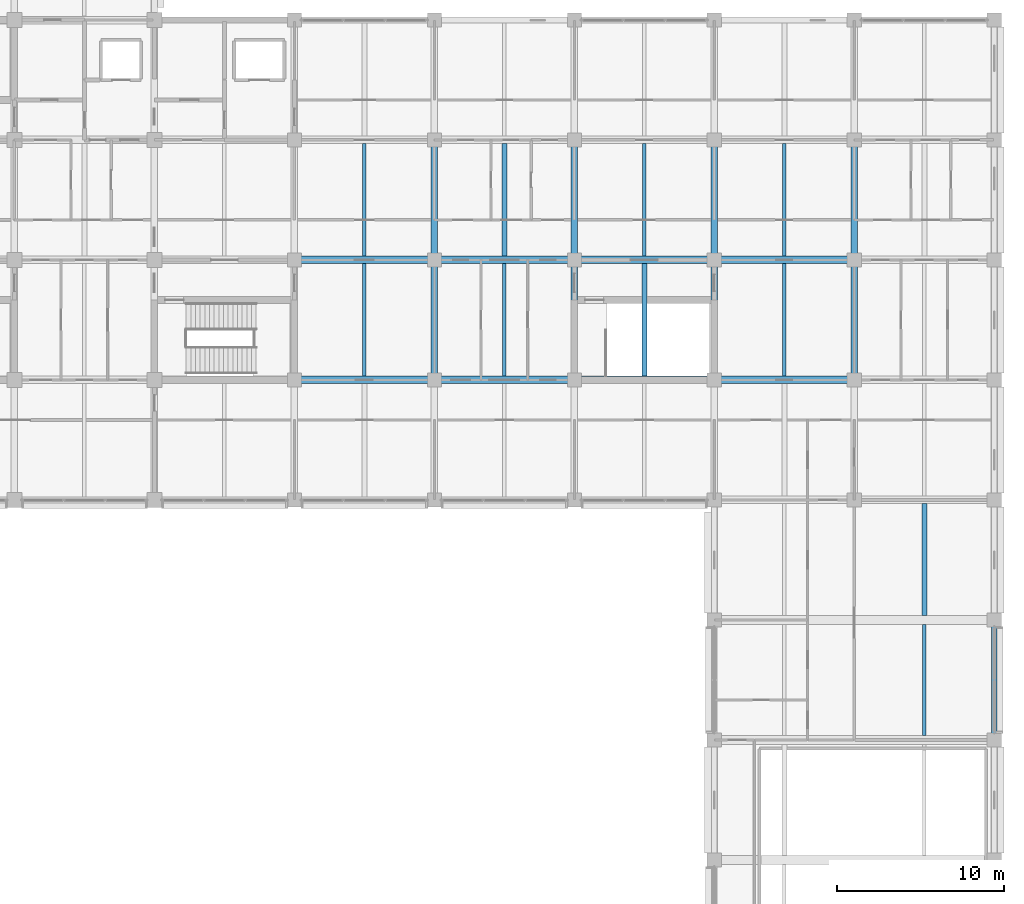
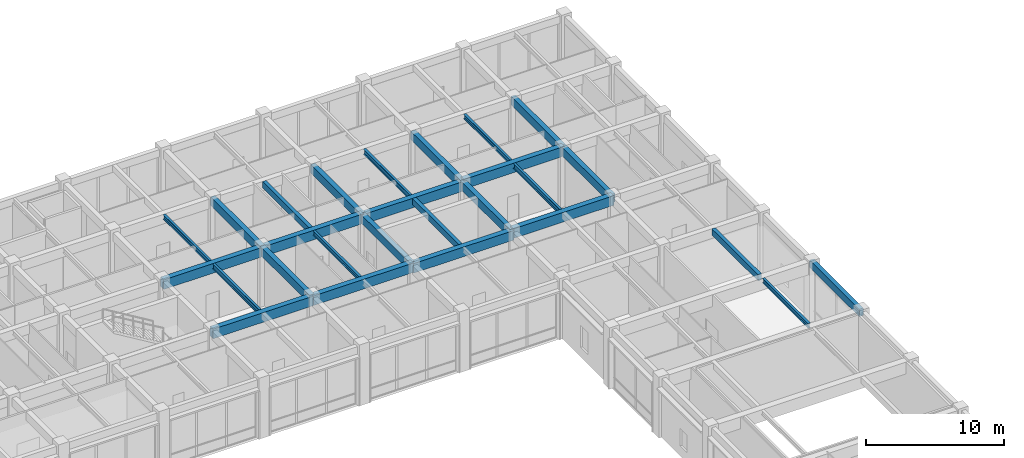
# One storey, part 22 of 58: 27 beams.
"""IFC4 building model written with IfcOpenShell, lengths in metres."""

from ifc_helpers import new_model, si_unit, direction, frame, origin, origin_2d, place, context, subcontext, project, spatial, rectangle, i_section, extrude, material, material_profile, profile_set, type_object, element, save


model = new_model("IFC4")

# Units and contexts
model_context = context("Model", 3, precision=1e-05, world=origin(), true_north=direction((0.0, 1.0)))
body_context = subcontext(model_context, "Body", "Model", "MODEL_VIEW")
ifc_project = project(units=[si_unit("LENGTHUNIT", "METRE"), si_unit("AREAUNIT", "SQUARE_METRE"), si_unit("VOLUMEUNIT", "CUBIC_METRE"), si_unit("PLANEANGLEUNIT", "RADIAN"), si_unit("MASSUNIT", "GRAM", prefix="KILO")], contexts=[model_context])

# Site, building, storey
site_placement = place(None, origin())
site = spatial("IfcSite", under=ifc_project, at=site_placement, CompositionType="ELEMENT")
building_placement = place(site_placement, origin())
building = spatial("IfcBuilding", under=site, at=building_placement, Name="Chengyuan Square Courthouse", CompositionType="ELEMENT")
storey_placement = place(building_placement, frame((0.0, 0.0, 16.199951171875)))
storey = spatial("IfcBuildingStorey", under=building, at=storey_placement, Name="L04", CompositionType="ELEMENT", Elevation=16.199951171875)

# Beams
ifc_material_1 = material(Name="Concrete C40", Category="concrete")
ifc_material_profile_1 = material_profile(ifc_material_1, rectangle(XDim=0.449951171875, YDim=0.85009765625, at=origin_2d()), Name="RC-BM-450x850")
ifc_profile_set_1 = profile_set([ifc_material_profile_1], Name="Concrete C40")
beam_type_1 = type_object("IfcBeamType", Name="BM-01", PredefinedType="USERDEFINED", material=ifc_profile_set_1)
beam_1_placement = place(storey_placement, frame((126.0, 86.39990234375, 4.695068359375), z_axis=(1.0, 0.0, 0.0), x_axis=(0.0, 1.0, 0.0)))
element("IfcBeam", 1, at=beam_1_placement, inside=storey, type_object=beam_type_1, Name="Girder BM-L04-2896", ObjectType="GIRDER", PredefinedType="USERDEFINED", context=body_context, shape_type="SweptSolid", body=[
    extrude(rectangle(XDim=0.449951171875, YDim=0.85009765625, at=origin_2d()), origin(), (0.0, 0.0, 1.0), 8.39990234375),
])
beam_2_placement = place(storey_placement, frame((134.39990234375, 86.39990234375, 4.695068359375), z_axis=(1.0, 0.0, 0.0), x_axis=(0.0, 1.0, 0.0)))
element("IfcBeam", 2, at=beam_2_placement, inside=storey, type_object=beam_type_1, Name="Girder BM-L04-2897", ObjectType="GIRDER", PredefinedType="USERDEFINED", context=body_context, shape_type="SweptSolid", body=[
    extrude(rectangle(XDim=0.449951171875, YDim=0.85009765625, at=origin_2d()), origin(), (0.0, 0.0, 1.0), 8.400146484375),
])
beam_3_placement = place(storey_placement, frame((142.800048828125, 86.39990234375, 4.625), z_axis=(1.0, 0.0, 0.0), x_axis=(0.0, 1.0, 0.0)))
element("IfcBeam", 3, at=beam_3_placement, inside=storey, type_object=beam_type_1, Name="Girder BM-L04-2898", ObjectType="GIRDER", PredefinedType="USERDEFINED", context=body_context, shape_type="SweptSolid", body=[
    extrude(rectangle(XDim=0.449951171875, YDim=0.85009765625, at=origin_2d()), origin(), (0.0, 0.0, 1.0), 8.39990234375),
])
beam_4_placement = place(storey_placement, frame((151.199951171875, 86.39990234375, 4.775146484375), z_axis=(1.0, 0.0, 0.0), x_axis=(0.0, 1.0, 0.0)))
element("IfcBeam", 4, at=beam_4_placement, inside=storey, type_object=beam_type_1, Name="Girder BM-L04-2899", ObjectType="GIRDER", PredefinedType="USERDEFINED", context=body_context, shape_type="SweptSolid", body=[
    extrude(rectangle(XDim=0.449951171875, YDim=0.85009765625, at=origin_2d()), origin(), (0.0, 0.0, 1.0), 8.400146484375),
])
beam_5_placement = place(storey_placement, frame((126.0, 93.60009765625, 4.695068359375), z_axis=(1.0, 0.0, 0.0), x_axis=(0.0, 1.0, 0.0)))
element("IfcBeam", 5, at=beam_5_placement, inside=storey, type_object=beam_type_1, Name="Girder BM-L04-2916", ObjectType="GIRDER", PredefinedType="USERDEFINED", context=body_context, shape_type="SweptSolid", body=[
    extrude(rectangle(XDim=0.449951171875, YDim=0.85009765625, at=origin_2d()), origin(), (0.0, 0.0, 1.0), 8.39990234375),
])
beam_6_placement = place(storey_placement, frame((134.39990234375, 93.60009765625, 4.695068359375), z_axis=(1.0, 0.0, 0.0), x_axis=(0.0, 1.0, 0.0)))
element("IfcBeam", 6, at=beam_6_placement, inside=storey, type_object=beam_type_1, Name="Girder BM-L04-2917", ObjectType="GIRDER", PredefinedType="USERDEFINED", context=body_context, shape_type="SweptSolid", body=[
    extrude(rectangle(XDim=0.449951171875, YDim=0.85009765625, at=origin_2d()), origin(), (0.0, 0.0, 1.0), 8.400146484375),
])
beam_7_placement = place(storey_placement, frame((142.800048828125, 93.60009765625, 4.625), z_axis=(1.0, 0.0, 0.0), x_axis=(0.0, 1.0, 0.0)))
element("IfcBeam", 7, at=beam_7_placement, inside=storey, type_object=beam_type_1, Name="Girder BM-L04-2918", ObjectType="GIRDER", PredefinedType="USERDEFINED", context=body_context, shape_type="SweptSolid", body=[
    extrude(rectangle(XDim=0.449951171875, YDim=0.85009765625, at=origin_2d()), origin(), (0.0, 0.0, 1.0), 8.39990234375),
])
beam_8_placement = place(storey_placement, frame((151.199951171875, 93.60009765625, 4.775146484375), z_axis=(1.0, 0.0, 0.0), x_axis=(0.0, 1.0, 0.0)))
element("IfcBeam", 8, at=beam_8_placement, inside=storey, type_object=beam_type_1, Name="Girder BM-L04-2919", ObjectType="GIRDER", PredefinedType="USERDEFINED", context=body_context, shape_type="SweptSolid", body=[
    extrude(rectangle(XDim=0.449951171875, YDim=0.85009765625, at=origin_2d()), origin(), (0.0, 0.0, 1.0), 8.400146484375),
])
ifc_material_profile_2 = material_profile(ifc_material_1, rectangle(XDim=0.39990234375, YDim=0.75, at=origin_2d()), Name="RC-BM-400x750")
ifc_profile_set_2 = profile_set([ifc_material_profile_2], Name="Concrete C40")
beam_type_2 = type_object("IfcBeamType", Name="BM-02", PredefinedType="USERDEFINED", material=ifc_profile_set_2)
beam_9_placement = place(storey_placement, frame((134.39990234375, 86.39990234375, 4.7451171875), z_axis=(0.0, 1.0, 0.0), x_axis=(-1.0, 0.0, 0.0)))
element("IfcBeam", 9, at=beam_9_placement, inside=storey, type_object=beam_type_2, Name="Girder BM-L04-3062", ObjectType="GIRDER", PredefinedType="USERDEFINED", context=body_context, shape_type="SweptSolid", body=[
    extrude(rectangle(XDim=0.39990234375, YDim=0.75, at=origin_2d()), origin(), (0.0, 0.0, 1.0), 7.2001953125),
])
beam_10_placement = place(storey_placement, frame((134.39990234375, 93.60009765625, 4.7451171875), z_axis=(0.0, 1.0, 0.0), x_axis=(-1.0, 0.0, 0.0)))
element("IfcBeam", 10, at=beam_10_placement, inside=storey, type_object=beam_type_2, Name="Girder BM-L04-3063", ObjectType="GIRDER", PredefinedType="USERDEFINED", context=body_context, shape_type="SweptSolid", body=[
    extrude(rectangle(XDim=0.39990234375, YDim=0.75, at=origin_2d()), origin(), (0.0, 0.0, 1.0), 7.199951171875),
])
beam_11_placement = place(storey_placement, frame((142.800048828125, 86.39990234375, 4.675048828125), z_axis=(0.0, 1.0, 0.0), x_axis=(-1.0, 0.0, 0.0)))
element("IfcBeam", 11, at=beam_11_placement, inside=storey, type_object=beam_type_2, Name="Girder BM-L04-3066", ObjectType="GIRDER", PredefinedType="USERDEFINED", context=body_context, shape_type="SweptSolid", body=[
    extrude(rectangle(XDim=0.39990234375, YDim=0.75, at=origin_2d()), origin(), (0.0, 0.0, 1.0), 7.2001953125),
])
beam_12_placement = place(storey_placement, frame((142.800048828125, 93.60009765625, 4.675048828125), z_axis=(0.0, 1.0, 0.0), x_axis=(-1.0, 0.0, 0.0)))
element("IfcBeam", 12, at=beam_12_placement, inside=storey, type_object=beam_type_2, Name="Girder BM-L04-3067", ObjectType="GIRDER", PredefinedType="USERDEFINED", context=body_context, shape_type="SweptSolid", body=[
    extrude(rectangle(XDim=0.39990234375, YDim=0.75, at=origin_2d()), origin(), (0.0, 0.0, 1.0), 7.199951171875),
])
beam_13_placement = place(storey_placement, frame((151.199951171875, 86.39990234375, 4.675048828125), z_axis=(0.0, 1.0, 0.0), x_axis=(-1.0, 0.0, 0.0)))
element("IfcBeam", 13, at=beam_13_placement, inside=storey, type_object=beam_type_2, Name="Girder BM-L04-3076", ObjectType="GIRDER", PredefinedType="USERDEFINED", context=body_context, shape_type="SweptSolid", body=[
    extrude(rectangle(XDim=0.39990234375, YDim=0.75, at=origin_2d()), origin(), (0.0, 0.0, 1.0), 7.2001953125),
])
beam_14_placement = place(storey_placement, frame((151.199951171875, 93.60009765625, 4.675048828125), z_axis=(0.0, 1.0, 0.0), x_axis=(-1.0, 0.0, 0.0)))
element("IfcBeam", 14, at=beam_14_placement, inside=storey, type_object=beam_type_2, Name="Girder BM-L04-3077", ObjectType="GIRDER", PredefinedType="USERDEFINED", context=body_context, shape_type="SweptSolid", body=[
    extrude(rectangle(XDim=0.39990234375, YDim=0.75, at=origin_2d()), origin(), (0.0, 0.0, 1.0), 7.199951171875),
])
beam_15_placement = place(storey_placement, frame((159.60009765625, 86.39990234375, 4.824951171875), z_axis=(0.0, 1.0, 0.0), x_axis=(-1.0, 0.0, 0.0)))
element("IfcBeam", 15, at=beam_15_placement, inside=storey, type_object=beam_type_2, Name="Girder BM-L04-3080", ObjectType="GIRDER", PredefinedType="USERDEFINED", context=body_context, shape_type="SweptSolid", body=[
    extrude(rectangle(XDim=0.39990234375, YDim=0.75, at=origin_2d()), origin(), (0.0, 0.0, 1.0), 7.2001953125),
])
beam_16_placement = place(storey_placement, frame((159.60009765625, 93.60009765625, 4.824951171875), z_axis=(0.0, 1.0, 0.0), x_axis=(-1.0, 0.0, 0.0)))
element("IfcBeam", 16, at=beam_16_placement, inside=storey, type_object=beam_type_2, Name="Girder BM-L04-3081", ObjectType="GIRDER", PredefinedType="USERDEFINED", context=body_context, shape_type="SweptSolid", body=[
    extrude(rectangle(XDim=0.39990234375, YDim=0.75, at=origin_2d()), origin(), (0.0, 0.0, 1.0), 7.199951171875),
])
ifc_material_profile_3 = material_profile(ifc_material_1, rectangle(XDim=0.35009765625, YDim=0.64990234375, at=origin_2d()), Name="RC-BM-350x650")
ifc_profile_set_3 = profile_set([ifc_material_profile_3], Name="Concrete C40")
beam_type_3 = type_object("IfcBeamType", Name="BM-03", PredefinedType="SPANDREL", material=ifc_profile_set_3)
beam_17_placement = place(storey_placement, frame((168.0, 64.800048828125, 4.875), z_axis=(0.0, 1.0, 0.0), x_axis=(-1.0, 0.0, 0.0)))
element("IfcBeam", 17, at=beam_17_placement, inside=storey, type_object=beam_type_3, Name="Girder BM-L04-3087", PredefinedType="SPANDREL", context=body_context, shape_type="SweptSolid", body=[
    extrude(rectangle(XDim=0.35009765625, YDim=0.64990234375, at=origin_2d()), origin(), (0.0, 0.0, 1.0), 7.199951171875),
])
ifc_material_profile_4 = material_profile(ifc_material_1, rectangle(XDim=0.300048828125, YDim=0.550048828125, at=origin_2d()), Name="RC-BM-300x550")
ifc_profile_set_4 = profile_set([ifc_material_profile_4], Name="Concrete C40")
beam_type_4 = type_object("IfcBeamType", Name="BM-04", PredefinedType="BEAM", material=ifc_profile_set_4)
for number, where, z_axis, x_axis, name in (
    (18, (138.60009765625, 93.824951171875, 4.844970703125), (0.0, 1.0, 0.0), (-1.0, 0.0, 0.0), "Secondary Floor Beam SBM-L04-3169"),
    (19, (147.0, 86.625, 4.775146484375), (0.0, 1.0, 0.0), (-1.0, 0.0, 0.0), "Secondary Floor Beam SBM-L04-3172"),
):
    element("IfcBeam", number, at=place(storey_placement, frame(where, z_axis=z_axis, x_axis=x_axis)), inside=storey, type_object=beam_type_4, Name=name, PredefinedType="BEAM", context=body_context, shape_type="SweptSolid", body=[
        extrude(rectangle(XDim=0.300048828125, YDim=0.550048828125, at=origin_2d()), origin(), (0.0, 0.0, 1.0), 6.75),
    ])
beam_18_placement = place(storey_placement, frame((163.800048828125, 72.27490234375, 4.925048828125), z_axis=(0.0, 1.0, 0.0), x_axis=(-1.0, 0.0, 0.0)))
element("IfcBeam", 20, at=beam_18_placement, inside=storey, type_object=beam_type_4, Name="Secondary Floor Beam SBM-L04-3190", PredefinedType="BEAM", context=body_context, shape_type="SweptSolid", body=[
    extrude(rectangle(XDim=0.300048828125, YDim=0.550048828125, at=origin_2d()), origin(), (0.0, 0.0, 1.0), 6.7001953125),
])
ifc_material_2 = material(Name="Steel Q355B", Category="steel")
ifc_material_profile_5 = material_profile(ifc_material_2, i_section(OverallWidth=0.199951171875, OverallDepth=0.449951171875, WebThickness=0.009033203125, FlangeThickness=0.013916015625, at=origin_2d()), Name="HN 450x200x9x14")
ifc_profile_set_5 = profile_set([ifc_material_profile_5], Name="Steel Q355B")
beam_type_5 = type_object("IfcBeamType", Name="BM-06", PredefinedType="BEAM", material=ifc_profile_set_5)
for number, where, z_axis, x_axis, name in (
    (21, (130.199951171875, 86.625, 4.89501953125), (0.0, 1.0, 0.0), (-1.0, 0.0, 0.0), "Secondary Floor Beam SBM-L04-3164"),
    (22, (147.0, 93.824951171875, 4.824951171875), (0.0, 1.0, 0.0), (-1.0, 0.0, 0.0), "Secondary Floor Beam SBM-L04-3173"),
    (23, (155.39990234375, 86.625, 4.97509765625), (0.0, 1.0, 0.0), (-1.0, 0.0, 0.0), "Secondary Floor Beam SBM-L04-3182"),
):
    element("IfcBeam", number, at=place(storey_placement, frame(where, z_axis=z_axis, x_axis=x_axis)), inside=storey, type_object=beam_type_5, Name=name, PredefinedType="BEAM", context=body_context, shape_type="SweptSolid", body=[
        extrude(i_section(OverallWidth=0.199951171875, OverallDepth=0.449951171875, WebThickness=0.009033203125, FlangeThickness=0.013916015625, at=origin_2d()), origin(), (0.0, 0.0, 1.0), 6.75),
    ])
ifc_material_profile_6 = material_profile(ifc_material_2, i_section(OverallWidth=0.199951171875, OverallDepth=0.39990234375, WebThickness=0.008056640625, FlangeThickness=0.012939453125, at=origin_2d()), Name="HN 400x200x8x13")
ifc_profile_set_6 = profile_set([ifc_material_profile_6], Name="Steel Q355B")
beam_type_6 = type_object("IfcBeamType", Name="BM-07", PredefinedType="BEAM", material=ifc_profile_set_6)
for number, where, z_axis, x_axis, name in (
    (24, (130.199951171875, 93.824951171875, 4.920166015625), (0.0, 1.0, 0.0), (-1.0, 0.0, 0.0), "Secondary Floor Beam SBM-L04-3165"),
    (25, (138.60009765625, 86.625, 4.920166015625), (0.0, 1.0, 0.0), (-1.0, 0.0, 0.0), "Secondary Floor Beam SBM-L04-3168"),
    (26, (155.39990234375, 93.824951171875, 5.0), (0.0, 1.0, 0.0), (-1.0, 0.0, 0.0), "Secondary Floor Beam SBM-L04-3183"),
):
    element("IfcBeam", number, at=place(storey_placement, frame(where, z_axis=z_axis, x_axis=x_axis)), inside=storey, type_object=beam_type_6, Name=name, PredefinedType="BEAM", context=body_context, shape_type="SweptSolid", body=[
        extrude(i_section(OverallWidth=0.199951171875, OverallDepth=0.39990234375, WebThickness=0.008056640625, FlangeThickness=0.012939453125, at=origin_2d()), origin(), (0.0, 0.0, 1.0), 6.75),
    ])
beam_19_placement = place(storey_placement, frame((163.800048828125, 65.074951171875, 5.0), z_axis=(0.0, 1.0, 0.0), x_axis=(-1.0, 0.0, 0.0)))
element("IfcBeam", 27, at=beam_19_placement, inside=storey, type_object=beam_type_6, Name="Secondary Floor Beam SBM-L04-3189", PredefinedType="BEAM", context=body_context, shape_type="SweptSolid", body=[
    extrude(i_section(OverallWidth=0.199951171875, OverallDepth=0.39990234375, WebThickness=0.008056640625, FlangeThickness=0.012939453125, at=origin_2d()), origin(), (0.0, 0.0, 1.0), 6.650146484375),
])

save(model, "model.ifc")
